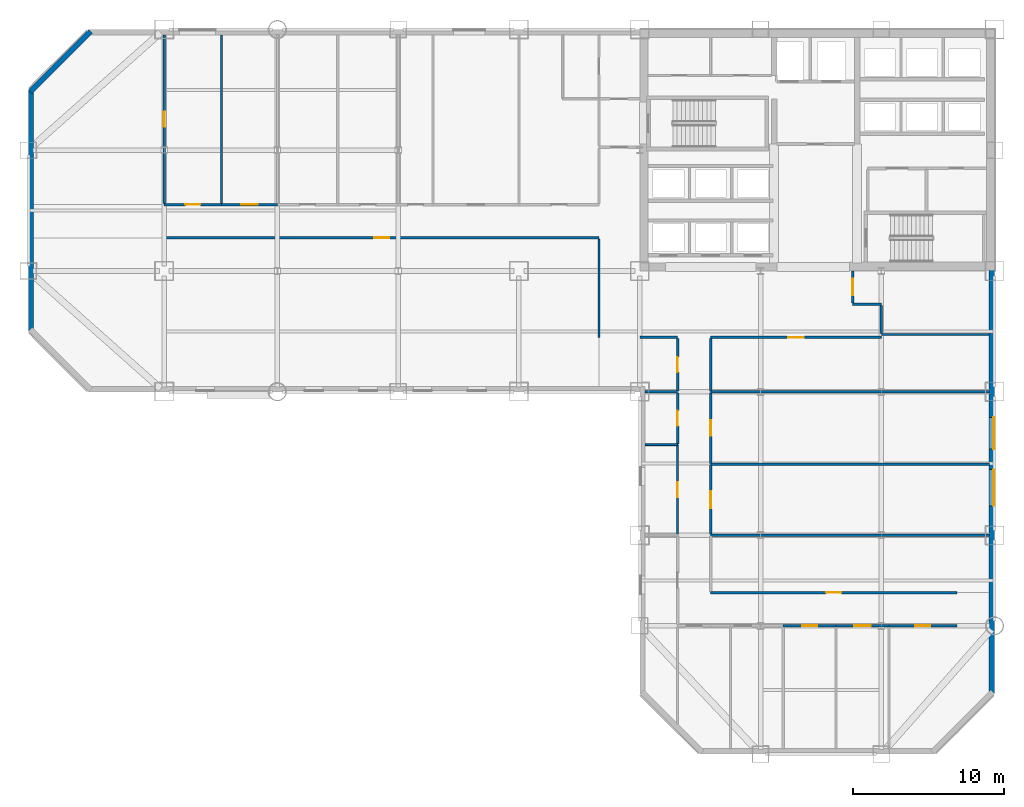
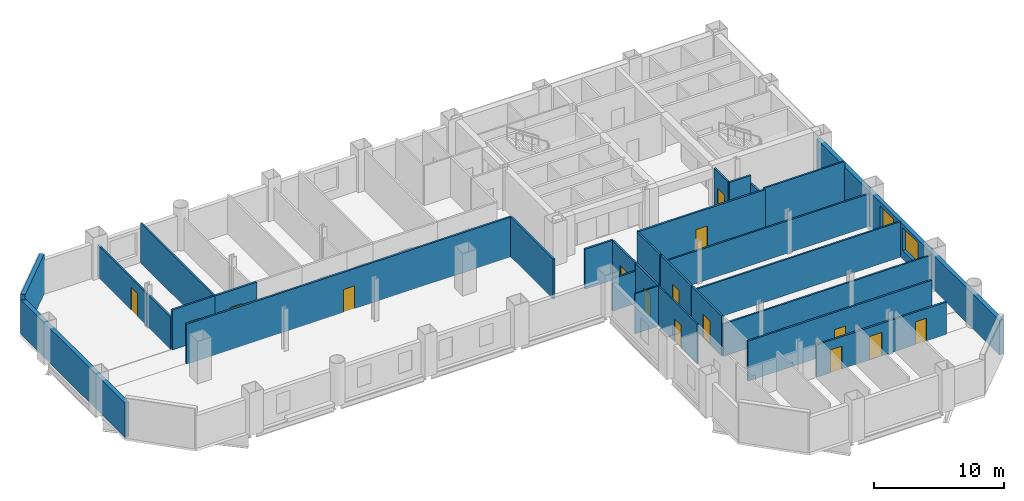
# One storey, part 5 of 9: 30 walls, 15 doors, 2 windows, 17 openings.
"""IFC4 building model written with IfcOpenShell, lengths in metres."""

from ifc_helpers import new_model, si_unit, direction, frame, frame_2d, origin, place, context, subcontext, project, spatial, rectangle, extrude, material, layer, layer_set, type_object, element, fill, save


model = new_model("IFC4")

# Units and contexts
model_context = context("Model", 3, precision=1e-05, world=origin(), true_north=direction((0.0, 1.0)))
body_context = subcontext(model_context, "Body", "Model", "MODEL_VIEW")
ifc_project = project(units=[si_unit("LENGTHUNIT", "METRE"), si_unit("AREAUNIT", "SQUARE_METRE"), si_unit("VOLUMEUNIT", "CUBIC_METRE"), si_unit("PLANEANGLEUNIT", "RADIAN"), si_unit("MASSUNIT", "GRAM", prefix="KILO")], contexts=[model_context])

# Site, building, storey
site_placement = place(None, origin())
site = spatial("IfcSite", under=ifc_project, at=site_placement, CompositionType="ELEMENT")
building_placement = place(site_placement, origin())
building = spatial("IfcBuilding", under=site, at=building_placement, Name="Qianrong Seaharbour Tower", CompositionType="ELEMENT")
storey_placement = place(building_placement, frame((0.0, 0.0, 36.199951171875)))
storey = spatial("IfcBuildingStorey", under=building, at=storey_placement, Name="L08", CompositionType="ELEMENT", Elevation=36.199951171875)

# Wall, opening, door
ifc_material_1 = material(Name="Fire-rated acoustic gypsum board partition")
ifc_layer_1 = layer(ifc_material_1, 0.1650390625)
ifc_layer_set_1 = layer_set([ifc_layer_1], Name="Fire-rated acoustic gypsum board partition")
wall_type_1 = type_object("IfcWallType", Name="WALL-CORR-PART-165", PredefinedType="PARTITIONING", material=ifc_layer_set_1)
wall_1_placement = place(storey_placement, frame((37.800048828125, 38.199951171875, 0.0), z_axis=(0.0, 0.0, 1.0), x_axis=(-1.0, 0.0, 0.0)))
wall_1 = element("IfcWall", 1, at=wall_1_placement, inside=storey, type_object=wall_type_1, Name="L08 Interior Partition Wall 015", PredefinedType="PARTITIONING", context=body_context, shape_type="SweptSolid", body=[
    extrude(rectangle(XDim=28.800048828125, YDim=0.1650390625, at=frame_2d((14.39990234375, 0.0))), origin(), (0.0, 0.0, 1.0), 3.75),
])
opening_1_placement = place(wall_1_placement, frame((13.89990234375, 0.0, 0.0)))
opening_1 = element("IfcOpeningElement", 2, at=opening_1_placement, cuts=wall_1, Name="Opening DO-01", PredefinedType="OPENING", context=body_context, shape_type="SweptSolid", body=[
    extrude(rectangle(XDim=1.0, YDim=2.14990234375, at=frame_2d((0.5, 1.074951171875))), frame((0.0, 0.092529296875, 0.0), z_axis=(0.0, -1.0, 0.0), x_axis=(1.0, 0.0, 0.0)), (0.0, 0.0, 1.0), 0.18505859375),
])
ifc_material_2 = material(Name="Acoustic timber and galvanized steel fire door assembly", Category="steel")
door_type_1 = type_object("IfcDoorType", Name="DOOR-OFFICE-1000x2150", OperationType="NOTDEFINED", PredefinedType="DOOR", material=ifc_material_2)
door_1_placement = place(opening_1_placement, origin())
door_1 = element("IfcDoor", 3, at=door_1_placement, inside=storey, type_object=door_type_1, Name="L08 Open-Plan Office Door", OperationType="SINGLE_SWING_RIGHT", OverallHeight=2.14990234375, OverallWidth=1.0, PredefinedType="DOOR", context=body_context, shape_type="SweptSolid", body=[
    extrude(rectangle(XDim=1.0, YDim=2.14990234375, at=frame_2d((0.5, 1.074951171875))), frame((0.0, 0.02490234375, 0.0), z_axis=(0.0, -1.0, 0.0), x_axis=(1.0, 0.0, 0.0)), (0.0, 0.0, 1.0), 0.050048828125),
])
fill(opening_1, door_1)

wall_2_placement = place(storey_placement, frame((9.0, 40.39990234375, 0.0), z_axis=(0.0, 0.0, 1.0), x_axis=(1.0, 0.0, 0.0)))
wall_2 = element("IfcWall", 4, at=wall_2_placement, inside=storey, type_object=wall_type_1, Name="L08 Interior Partition Wall 016", PredefinedType="PARTITIONING", context=body_context, shape_type="SweptSolid", body=[
    extrude(rectangle(XDim=3.800048828125, YDim=0.1650390625, at=frame_2d((1.89990234375, 0.0))), origin(), (0.0, 0.0, 1.0), 3.75),
])
opening_2_placement = place(wall_2_placement, frame((1.39990234375, 0.0, 0.0)))
opening_2 = element("IfcOpeningElement", 5, at=opening_2_placement, cuts=wall_2, Name="Opening DO-01", PredefinedType="OPENING", context=body_context, shape_type="SweptSolid", body=[
    extrude(rectangle(XDim=1.0, YDim=2.14990234375, at=frame_2d((0.5, 1.074951171875))), frame((0.0, 0.092529296875, 0.0), z_axis=(0.0, -1.0, 0.0), x_axis=(1.0, 0.0, 0.0)), (0.0, 0.0, 1.0), 0.18505859375),
])
door_2_placement = place(opening_2_placement, origin())
door_2 = element("IfcDoor", 6, at=door_2_placement, inside=storey, type_object=door_type_1, Name="L08 Focus Room 2 Door", OperationType="SINGLE_SWING_RIGHT", OverallHeight=2.14990234375, OverallWidth=1.0, PredefinedType="DOOR", context=body_context, shape_type="SweptSolid", body=[
    extrude(rectangle(XDim=1.0, YDim=2.14990234375, at=frame_2d((0.5, 1.074951171875))), frame((0.0, 0.02490234375, 0.0), z_axis=(0.0, -1.0, 0.0), x_axis=(1.0, 0.0, 0.0)), (0.0, 0.0, 1.0), 0.050048828125),
])
fill(opening_2, door_2)

wall_3_placement = place(storey_placement, frame((12.800048828125, 40.39990234375, 0.0), z_axis=(0.0, 0.0, 1.0), x_axis=(1.0, 0.0, 0.0)))
wall_3 = element("IfcWall", 7, at=wall_3_placement, inside=storey, type_object=wall_type_1, Name="L08 Interior Partition Wall 017", PredefinedType="PARTITIONING", context=body_context, shape_type="SweptSolid", body=[
    extrude(rectangle(XDim=3.699951171875, YDim=0.1650390625, at=frame_2d((1.85009765625, 0.0))), origin(), (0.0, 0.0, 1.0), 3.75),
])
opening_3_placement = place(wall_3_placement, frame((1.300048828125, 0.0, 0.0)))
opening_3 = element("IfcOpeningElement", 8, at=opening_3_placement, cuts=wall_3, Name="Opening DM-01", PredefinedType="OPENING", context=body_context, shape_type="SweptSolid", body=[
    extrude(rectangle(XDim=1.10009765625, YDim=2.199951171875, at=frame_2d((0.550048828125, 1.10009765625))), frame((0.0, 0.092529296875, 0.0), z_axis=(0.0, -1.0, 0.0), x_axis=(1.0, 0.0, 0.0)), (0.0, 0.0, 1.0), 0.18505859375),
])
door_type_2 = type_object("IfcDoorType", Name="DOOR-MEET-1100x2200", OperationType="NOTDEFINED", PredefinedType="DOOR", material=ifc_material_2)
door_3_placement = place(opening_3_placement, origin())
door_3 = element("IfcDoor", 9, at=door_3_placement, inside=storey, type_object=door_type_2, Name="L08 Meeting Room 3 Door", OperationType="SINGLE_SWING_LEFT", OverallHeight=2.199951171875, OverallWidth=1.10009765625, PredefinedType="DOOR", context=body_context, shape_type="SweptSolid", body=[
    extrude(rectangle(XDim=1.10009765625, YDim=2.199951171875, at=frame_2d((0.550048828125, 1.10009765625))), frame((0.0, 0.02490234375, 0.0), z_axis=(0.0, -1.0, 0.0), x_axis=(1.0, 0.0, 0.0)), (0.0, 0.0, 1.0), 0.050048828125),
])
fill(opening_3, door_3)

# Wall
wall_4_placement = place(storey_placement, frame((37.800048828125, 31.60009765625, 0.0), z_axis=(0.0, 0.0, 1.0), x_axis=(0.0, 1.0, 0.0)))
element("IfcWall", 10, at=wall_4_placement, inside=storey, type_object=wall_type_1, Name="L08 Interior Partition Wall 023", PredefinedType="PARTITIONING", context=body_context, shape_type="SweptSolid", body=[
    extrude(rectangle(XDim=6.525390625, YDim=0.1650390625, at=frame_2d((3.2626953125, 0.0))), origin(), (0.0, 0.0, 1.0), 3.75),
])

# Wall, opening, door
wall_5_placement = place(storey_placement, frame((56.5, 31.60009765625, 0.0), z_axis=(0.0, 0.0, 1.0), x_axis=(-1.0, 0.0, 0.0)))
wall_5 = element("IfcWall", 11, at=wall_5_placement, inside=storey, type_object=wall_type_1, Name="L08 Interior Partition Wall 025", PredefinedType="PARTITIONING", context=body_context, shape_type="SweptSolid", body=[
    extrude(rectangle(XDim=11.300048828125, YDim=0.1650390625, at=frame_2d((5.64990234375, 0.0))), origin(), (0.0, 0.0, 1.0), 3.75),
])
opening_4_placement = place(wall_5_placement, frame((5.14990234375, 0.0, 0.0)))
opening_4 = element("IfcOpeningElement", 12, at=opening_4_placement, cuts=wall_5, Name="Opening DO-01", PredefinedType="OPENING", context=body_context, shape_type="SweptSolid", body=[
    extrude(rectangle(XDim=1.0, YDim=2.14990234375, at=frame_2d((0.5, 1.074951171875))), frame((0.0, 0.092529296875, 0.0), z_axis=(0.0, -1.0, 0.0), x_axis=(1.0, 0.0, 0.0)), (0.0, 0.0, 1.0), 0.18505859375),
])
door_4_placement = place(opening_4_placement, origin())
door_4 = element("IfcDoor", 13, at=door_4_placement, inside=storey, type_object=door_type_1, Name="L08 Executive Office 4 Door", OperationType="SINGLE_SWING_RIGHT", OverallHeight=2.14990234375, OverallWidth=1.0, PredefinedType="DOOR", context=body_context, shape_type="SweptSolid", body=[
    extrude(rectangle(XDim=1.0, YDim=2.14990234375, at=frame_2d((0.5, 1.074951171875))), frame((0.0, 0.02490234375, 0.0), z_axis=(0.0, -1.0, 0.0), x_axis=(1.0, 0.0, 0.0)), (0.0, 0.0, 1.0), 0.050048828125),
])
fill(opening_4, door_4)

wall_6_placement = place(storey_placement, frame((54.60009765625, 36.0, 0.0), z_axis=(0.0, 0.0, 1.0), x_axis=(0.0, -1.0, 0.0)))
wall_6 = element("IfcWall", 14, at=wall_6_placement, inside=storey, type_object=wall_type_1, Name="L08 Interior Partition Wall 026", PredefinedType="PARTITIONING", context=body_context, shape_type="SweptSolid", body=[
    extrude(rectangle(XDim=2.12548828125, YDim=0.1650390625, at=frame_2d((1.062744140625, 0.0))), origin(), (0.0, 0.0, 1.0), 3.75),
])
opening_5_placement = place(wall_6_placement, frame((0.5126953125, 0.0, 0.0)))
opening_5 = element("IfcOpeningElement", 15, at=opening_5_placement, cuts=wall_6, Name="Opening DM-01", PredefinedType="OPENING", context=body_context, shape_type="SweptSolid", body=[
    extrude(rectangle(XDim=1.10009765625, YDim=2.199951171875, at=frame_2d((0.550048828125, 1.10009765625))), frame((0.0, 0.092529296875, 0.0), z_axis=(0.0, -1.0, 0.0), x_axis=(1.0, 0.0, 0.0)), (0.0, 0.0, 1.0), 0.18505859375),
])
door_5_placement = place(opening_5_placement, origin())
door_5 = element("IfcDoor", 16, at=door_5_placement, inside=storey, type_object=door_type_2, Name="L08 Boardroom 5 Door", OperationType="SINGLE_SWING_LEFT", OverallHeight=2.199951171875, OverallWidth=1.10009765625, PredefinedType="DOOR", context=body_context, shape_type="SweptSolid", body=[
    extrude(rectangle(XDim=1.10009765625, YDim=2.199951171875, at=frame_2d((0.550048828125, 1.10009765625))), frame((0.0, 0.02490234375, 0.0), z_axis=(0.0, -1.0, 0.0), x_axis=(1.0, 0.0, 0.0)), (0.0, 0.0, 1.0), 0.050048828125),
])
fill(opening_5, door_5)

# Walls
wall_7_placement = place(storey_placement, frame((54.60009765625, 33.800048828125, 0.0), z_axis=(0.0, 0.0, 1.0), x_axis=(1.0, 0.0, 0.0)))
element("IfcWall", 17, at=wall_7_placement, inside=storey, type_object=wall_type_1, Name="L08 Interior Partition Wall 027", PredefinedType="PARTITIONING", context=body_context, shape_type="SweptSolid", body=[
    extrude(rectangle(XDim=1.89990234375, YDim=0.1650390625, at=frame_2d((0.949951171875, 0.0))), origin(), (0.0, 0.0, 1.0), 3.75),
])
wall_8_placement = place(storey_placement, frame((56.5, 33.7255859375, 0.0), z_axis=(0.0, 0.0, 1.0), x_axis=(0.0, -1.0, 0.0)))
element("IfcWall", 18, at=wall_8_placement, inside=storey, type_object=wall_type_1, Name="L08 Interior Partition Wall 028", PredefinedType="PARTITIONING", context=body_context, shape_type="SweptSolid", body=[
    extrude(rectangle(XDim=1.861083984375, YDim=0.1650390625, at=frame_2d((0.9306640625, 0.0))), origin(), (0.0, 0.0, 1.0), 3.0419921875),
])
wall_9_placement = place(storey_placement, frame((43.0, 31.60009765625, 0.0), z_axis=(0.0, 0.0, 1.0), x_axis=(-1.0, 0.0, 0.0)))
element("IfcWall", 19, at=wall_9_placement, inside=storey, type_object=wall_type_1, Name="L08 Interior Partition Wall 029", PredefinedType="PARTITIONING", context=body_context, shape_type="SweptSolid", body=[
    extrude(rectangle(XDim=2.5, YDim=0.1650390625, at=frame_2d((1.25, 0.0))), origin(), (0.0, 0.0, 1.0), 3.75),
])

# Wall, opening, door
wall_10_placement = place(storey_placement, frame((45.199951171875, 23.135498046875, 0.0), z_axis=(0.0, 0.0, 1.0), x_axis=(0.0, -1.0, 0.0)))
wall_10 = element("IfcWall", 20, at=wall_10_placement, inside=storey, type_object=wall_type_1, Name="L08 Interior Partition Wall 031", PredefinedType="PARTITIONING", context=body_context, shape_type="SweptSolid", body=[
    extrude(rectangle(XDim=4.571044921875, YDim=0.1650390625, at=frame_2d((2.28564453125, 0.0))), origin(), (0.0, 0.0, 1.0), 3.75),
])
opening_6_placement = place(wall_10_placement, frame((1.735595703125, 0.0, 0.0)))
opening_6 = element("IfcOpeningElement", 21, at=opening_6_placement, cuts=wall_10, Name="Opening DM-01", PredefinedType="OPENING", context=body_context, shape_type="SweptSolid", body=[
    extrude(rectangle(XDim=1.10009765625, YDim=2.199951171875, at=frame_2d((0.550048828125, 1.10009765625))), frame((0.0, 0.092529296875, 0.0), z_axis=(0.0, -1.0, 0.0), x_axis=(1.0, 0.0, 0.0)), (0.0, 0.0, 1.0), 0.18505859375),
])
door_6_placement = place(opening_6_placement, origin())
door_6 = element("IfcDoor", 22, at=door_6_placement, inside=storey, type_object=door_type_2, Name="L08 Boardroom 2 Door", OperationType="SINGLE_SWING_RIGHT", OverallHeight=2.199951171875, OverallWidth=1.10009765625, PredefinedType="DOOR", context=body_context, shape_type="SweptSolid", body=[
    extrude(rectangle(XDim=1.10009765625, YDim=2.199951171875, at=frame_2d((0.550048828125, 1.10009765625))), frame((0.0, 0.02490234375, 0.0), z_axis=(0.0, -1.0, 0.0), x_axis=(1.0, 0.0, 0.0)), (0.0, 0.0, 1.0), 0.050048828125),
])
fill(opening_6, door_6)

wall_11_placement = place(storey_placement, frame((45.199951171875, 27.935546875, 0.0), z_axis=(0.0, 0.0, 1.0), x_axis=(0.0, -1.0, 0.0)))
wall_11 = element("IfcWall", 23, at=wall_11_placement, inside=storey, type_object=wall_type_1, Name="L08 Interior Partition Wall 032", PredefinedType="PARTITIONING", context=body_context, shape_type="SweptSolid", body=[
    extrude(rectangle(XDim=4.671142578125, YDim=0.1650390625, at=frame_2d((2.33544921875, 0.0))), origin(), (0.0, 0.0, 1.0), 3.75),
])
opening_7_placement = place(wall_11_placement, frame((1.83544921875, 0.0, 0.0)))
opening_7 = element("IfcOpeningElement", 24, at=opening_7_placement, cuts=wall_11, Name="Opening DO-01", PredefinedType="OPENING", context=body_context, shape_type="SweptSolid", body=[
    extrude(rectangle(XDim=1.0, YDim=2.14990234375, at=frame_2d((0.5, 1.074951171875))), frame((0.0, 0.092529296875, 0.0), z_axis=(0.0, -1.0, 0.0), x_axis=(1.0, 0.0, 0.0)), (0.0, 0.0, 1.0), 0.18505859375),
])
door_7_placement = place(opening_7_placement, origin())
door_7 = element("IfcDoor", 25, at=door_7_placement, inside=storey, type_object=door_type_1, Name="L08 Focus Room 3 Door", OperationType="SINGLE_SWING_LEFT", OverallHeight=2.14990234375, OverallWidth=1.0, PredefinedType="DOOR", context=body_context, shape_type="SweptSolid", body=[
    extrude(rectangle(XDim=1.0, YDim=2.14990234375, at=frame_2d((0.5, 1.074951171875))), frame((0.0, 0.02490234375, 0.0), z_axis=(0.0, -1.0, 0.0), x_axis=(1.0, 0.0, 0.0)), (0.0, 0.0, 1.0), 0.050048828125),
])
fill(opening_7, door_7)

# Wall
wall_12_placement = place(storey_placement, frame((45.199951171875, 31.525390625, 0.0), z_axis=(0.0, 0.0, 1.0), x_axis=(0.0, -1.0, 0.0)))
element("IfcWall", 26, at=wall_12_placement, inside=storey, type_object=wall_type_1, Name="L08 Interior Partition Wall 033", PredefinedType="PARTITIONING", context=body_context, shape_type="SweptSolid", body=[
    extrude(rectangle(XDim=3.4609375, YDim=0.1650390625, at=frame_2d((1.73046875, 0.0))), origin(), (0.0, 0.0, 1.0), 3.75),
])

# Wall, opening, door
wall_13_placement = place(storey_placement, frame((43.0, 24.556884765625, 0.0), z_axis=(0.0, 0.0, 1.0), x_axis=(0.0, 1.0, 0.0)))
wall_13 = element("IfcWall", 27, at=wall_13_placement, inside=storey, type_object=wall_type_1, Name="L08 Interior Partition Wall 036", PredefinedType="PARTITIONING", context=body_context, shape_type="SweptSolid", body=[
    extrude(rectangle(XDim=3.378662109375, YDim=0.1650390625, at=frame_2d((1.689453125, 0.0))), origin(), (0.0, 0.0, 1.0), 3.75),
])
opening_8_placement = place(wall_13_placement, frame((1.189208984375, 0.0, 0.0)))
opening_8 = element("IfcOpeningElement", 28, at=opening_8_placement, cuts=wall_13, Name="Opening DO-01", PredefinedType="OPENING", context=body_context, shape_type="SweptSolid", body=[
    extrude(rectangle(XDim=1.0, YDim=2.14990234375, at=frame_2d((0.5, 1.074951171875))), frame((0.0, 0.092529296875, 0.0), z_axis=(0.0, -1.0, 0.0), x_axis=(1.0, 0.0, 0.0)), (0.0, 0.0, 1.0), 0.18505859375),
])
door_8_placement = place(opening_8_placement, origin())
door_8 = element("IfcDoor", 29, at=door_8_placement, inside=storey, type_object=door_type_1, Name="L08 Focus Room 3 Door", OperationType="SINGLE_SWING_RIGHT", OverallHeight=2.14990234375, OverallWidth=1.0, PredefinedType="DOOR", context=body_context, shape_type="SweptSolid", body=[
    extrude(rectangle(XDim=1.0, YDim=2.14990234375, at=frame_2d((0.5, 1.074951171875))), frame((0.0, 0.02490234375, 0.0), z_axis=(0.0, -1.0, 0.0), x_axis=(1.0, 0.0, 0.0)), (0.0, 0.0, 1.0), 0.050048828125),
])
fill(opening_8, door_8)

wall_14_placement = place(storey_placement, frame((43.0, 28.064453125, 0.0), z_axis=(0.0, 0.0, 1.0), x_axis=(0.0, 1.0, 0.0)))
wall_14 = element("IfcWall", 30, at=wall_14_placement, inside=storey, type_object=wall_type_1, Name="L08 Interior Partition Wall 037", PredefinedType="PARTITIONING", context=body_context, shape_type="SweptSolid", body=[
    extrude(rectangle(XDim=3.4609375, YDim=0.1650390625, at=frame_2d((1.73046875, 0.0))), origin(), (0.0, 0.0, 1.0), 3.75),
])
opening_9_placement = place(wall_14_placement, frame((1.23046875, 0.0, 0.0)))
opening_9 = element("IfcOpeningElement", 31, at=opening_9_placement, cuts=wall_14, Name="Opening DO-01", PredefinedType="OPENING", context=body_context, shape_type="SweptSolid", body=[
    extrude(rectangle(XDim=1.0, YDim=2.14990234375, at=frame_2d((0.5, 1.074951171875))), frame((0.0, 0.092529296875, 0.0), z_axis=(0.0, -1.0, 0.0), x_axis=(1.0, 0.0, 0.0)), (0.0, 0.0, 1.0), 0.18505859375),
])
door_9_placement = place(opening_9_placement, origin())
door_9 = element("IfcDoor", 32, at=door_9_placement, inside=storey, type_object=door_type_1, Name="L08 Executive Office 4 Door", OperationType="SINGLE_SWING_LEFT", OverallHeight=2.14990234375, OverallWidth=1.0, PredefinedType="DOOR", context=body_context, shape_type="SweptSolid", body=[
    extrude(rectangle(XDim=1.0, YDim=2.14990234375, at=frame_2d((0.5, 1.074951171875))), frame((0.0, 0.02490234375, 0.0), z_axis=(0.0, -1.0, 0.0), x_axis=(1.0, 0.0, 0.0)), (0.0, 0.0, 1.0), 0.050048828125),
])
fill(opening_9, door_9)

wall_15_placement = place(storey_placement, frame((45.199951171875, 14.699951171875, 0.0), z_axis=(0.0, 0.0, 1.0), x_axis=(1.0, 0.0, 0.0)))
wall_15 = element("IfcWall", 33, at=wall_15_placement, inside=storey, type_object=wall_type_1, Name="L08 Interior Partition Wall 039", PredefinedType="PARTITIONING", context=body_context, shape_type="SweptSolid", body=[
    extrude(rectangle(XDim=16.300048828125, YDim=0.1650390625, at=frame_2d((8.14990234375, 0.0))), origin(), (0.0, 0.0, 1.0), 3.75),
])
opening_10_placement = place(wall_15_placement, frame((7.64990234375, 0.0, 0.0)))
opening_10 = element("IfcOpeningElement", 34, at=opening_10_placement, cuts=wall_15, Name="Opening DO-01", PredefinedType="OPENING", context=body_context, shape_type="SweptSolid", body=[
    extrude(rectangle(XDim=1.0, YDim=2.14990234375, at=frame_2d((0.5, 1.074951171875))), frame((0.0, 0.092529296875, 0.0), z_axis=(0.0, -1.0, 0.0), x_axis=(1.0, 0.0, 0.0)), (0.0, 0.0, 1.0), 0.18505859375),
])
door_10_placement = place(opening_10_placement, origin())
door_10 = element("IfcDoor", 35, at=door_10_placement, inside=storey, type_object=door_type_1, Name="L08 Executive Office 1 Door", OperationType="SINGLE_SWING_LEFT", OverallHeight=2.14990234375, OverallWidth=1.0, PredefinedType="DOOR", context=body_context, shape_type="SweptSolid", body=[
    extrude(rectangle(XDim=1.0, YDim=2.14990234375, at=frame_2d((0.5, 1.074951171875))), frame((0.0, 0.02490234375, 0.0), z_axis=(0.0, -1.0, 0.0), x_axis=(1.0, 0.0, 0.0)), (0.0, 0.0, 1.0), 0.050048828125),
])
fill(opening_10, door_10)

wall_16_placement = place(storey_placement, frame((53.5, 12.5, 0.0), z_axis=(0.0, 0.0, 1.0), x_axis=(-1.0, 0.0, 0.0)))
wall_16 = element("IfcWall", 36, at=wall_16_placement, inside=storey, type_object=wall_type_1, Name="L08 Interior Partition Wall 042", PredefinedType="PARTITIONING", context=body_context, shape_type="SweptSolid", body=[
    extrude(rectangle(XDim=3.5, YDim=0.1650390625, at=frame_2d((1.75, 0.0))), origin(), (0.0, 0.0, 1.0), 3.0419921875),
])
opening_11_placement = place(wall_16_placement, frame((1.25, 0.0, 0.0)))
opening_11 = element("IfcOpeningElement", 37, at=opening_11_placement, cuts=wall_16, Name="Opening DO-01", PredefinedType="OPENING", context=body_context, shape_type="SweptSolid", body=[
    extrude(rectangle(XDim=1.0, YDim=2.14990234375, at=frame_2d((0.5, 1.074951171875))), frame((0.0, 0.092529296875, 0.0), z_axis=(0.0, -1.0, 0.0), x_axis=(1.0, 0.0, 0.0)), (0.0, 0.0, 1.0), 0.18505859375),
])
door_11_placement = place(opening_11_placement, origin())
door_11 = element("IfcDoor", 38, at=door_11_placement, inside=storey, type_object=door_type_1, Name="L08 Executive Office 3 Door", OperationType="SINGLE_SWING_RIGHT", OverallHeight=2.14990234375, OverallWidth=1.0, PredefinedType="DOOR", context=body_context, shape_type="SweptSolid", body=[
    extrude(rectangle(XDim=1.0, YDim=2.14990234375, at=frame_2d((0.5, 1.074951171875))), frame((0.0, 0.02490234375, 0.0), z_axis=(0.0, -1.0, 0.0), x_axis=(1.0, 0.0, 0.0)), (0.0, 0.0, 1.0), 0.050048828125),
])
fill(opening_11, door_11)

wall_17_placement = place(storey_placement, frame((57.0, 12.5, 0.0), z_axis=(0.0, 0.0, 1.0), x_axis=(-1.0, 0.0, 0.0)))
wall_17 = element("IfcWall", 39, at=wall_17_placement, inside=storey, type_object=wall_type_1, Name="L08 Interior Partition Wall 043", PredefinedType="PARTITIONING", context=body_context, shape_type="SweptSolid", body=[
    extrude(rectangle(XDim=3.5, YDim=0.1650390625, at=frame_2d((1.75, 0.0))), origin(), (0.0, 0.0, 1.0), 3.0419921875),
])
opening_12_placement = place(wall_17_placement, frame((1.199951171875, 0.0, 0.0)))
opening_12 = element("IfcOpeningElement", 40, at=opening_12_placement, cuts=wall_17, Name="Opening DM-01", PredefinedType="OPENING", context=body_context, shape_type="SweptSolid", body=[
    extrude(rectangle(XDim=1.10009765625, YDim=2.199951171875, at=frame_2d((0.550048828125, 1.10009765625))), frame((0.0, 0.092529296875, 0.0), z_axis=(0.0, -1.0, 0.0), x_axis=(1.0, 0.0, 0.0)), (0.0, 0.0, 1.0), 0.18505859375),
])
door_12_placement = place(opening_12_placement, origin())
door_12 = element("IfcDoor", 41, at=door_12_placement, inside=storey, type_object=door_type_2, Name="L08 Meeting Room 4 Door", OperationType="SINGLE_SWING_LEFT", OverallHeight=2.199951171875, OverallWidth=1.10009765625, PredefinedType="DOOR", context=body_context, shape_type="SweptSolid", body=[
    extrude(rectangle(XDim=1.10009765625, YDim=2.199951171875, at=frame_2d((0.550048828125, 1.10009765625))), frame((0.0, 0.02490234375, 0.0), z_axis=(0.0, -1.0, 0.0), x_axis=(1.0, 0.0, 0.0)), (0.0, 0.0, 1.0), 0.050048828125),
])
fill(opening_12, door_12)

wall_18_placement = place(storey_placement, frame((61.5, 12.5, 0.0), z_axis=(0.0, 0.0, 1.0), x_axis=(-1.0, 0.0, 0.0)))
wall_18 = element("IfcWall", 42, at=wall_18_placement, inside=storey, type_object=wall_type_1, Name="L08 Interior Partition Wall 044", PredefinedType="PARTITIONING", context=body_context, shape_type="SweptSolid", body=[
    extrude(rectangle(XDim=4.5, YDim=0.1650390625, at=frame_2d((2.25, 0.0))), origin(), (0.0, 0.0, 1.0), 3.0419921875),
])
opening_13_placement = place(wall_18_placement, frame((1.75, 0.0, 0.0)))
opening_13 = element("IfcOpeningElement", 43, at=opening_13_placement, cuts=wall_18, Name="Opening DO-01", PredefinedType="OPENING", context=body_context, shape_type="SweptSolid", body=[
    extrude(rectangle(XDim=1.0, YDim=2.14990234375, at=frame_2d((0.5, 1.074951171875))), frame((0.0, 0.092529296875, 0.0), z_axis=(0.0, -1.0, 0.0), x_axis=(1.0, 0.0, 0.0)), (0.0, 0.0, 1.0), 0.18505859375),
])
door_13_placement = place(opening_13_placement, origin())
door_13 = element("IfcDoor", 44, at=door_13_placement, inside=storey, type_object=door_type_1, Name="L08 Executive Office 5 Door", OperationType="SINGLE_SWING_RIGHT", OverallHeight=2.14990234375, OverallWidth=1.0, PredefinedType="DOOR", context=body_context, shape_type="SweptSolid", body=[
    extrude(rectangle(XDim=1.0, YDim=2.14990234375, at=frame_2d((0.5, 1.074951171875))), frame((0.0, 0.02490234375, 0.0), z_axis=(0.0, -1.0, 0.0), x_axis=(1.0, 0.0, 0.0)), (0.0, 0.0, 1.0), 0.050048828125),
])
fill(opening_13, door_13)

# Walls
ifc_material_3 = material(Name="Unitised red brick on Precast concrete C45/55", Category="masonry")
ifc_layer_2 = layer(ifc_material_3, 0.360107421875)
ifc_layer_set_2 = layer_set([ifc_layer_2], Name="Unitised red brick on Precast concrete C45/55")
wall_type_2 = type_object("IfcWallType", Name="WALL-EXT-BRICK-RED-360", PredefinedType="SOLIDWALL", material=ifc_layer_set_2)
wall_19_placement = place(storey_placement, frame((0.179931640625, 32.0, 0.0), z_axis=(0.0, 0.0, 1.0), x_axis=(0.0, 1.0, 0.0)))
element("IfcWall", 45, at=wall_19_placement, inside=storey, type_object=wall_type_2, Name="L08 Exterior Masonry Facade Wall WEST_TIP", PredefinedType="SOLIDWALL", context=body_context, shape_type="SweptSolid", body=[
    extrude(rectangle(XDim=16.0, YDim=0.360107421875, at=frame_2d((8.0, 0.0))), origin(), (0.0, 0.0, 1.0), 3.25),
])
wall_20_placement = place(storey_placement, frame((0.127197265625, 47.872802734375, 0.0), z_axis=(0.0, 0.0, 1.0), x_axis=(0.707106781187, 0.707106781187, 0.0)))
element("IfcWall", 46, at=wall_20_placement, inside=storey, type_object=wall_type_2, Name="L08 Exterior Masonry Facade Wall E04", PredefinedType="SOLIDWALL", context=body_context, shape_type="SweptSolid", body=[
    extrude(rectangle(XDim=5.65673828125, YDim=0.360107421875, at=frame_2d((2.828369140625, 0.0))), origin(), (0.0, 0.0, 1.0), 3.75),
])

# Wall, openings, windows
wall_21_placement = place(storey_placement, frame((63.820068359375, 36.050048828125, 0.0), z_axis=(0.0, 0.0, 1.0), x_axis=(0.0, -1.0, 0.0)))
wall_21 = element("IfcWall", 47, at=wall_21_placement, inside=storey, type_object=wall_type_2, Name="L08 Exterior Masonry Facade Wall EAST_WING", PredefinedType="SOLIDWALL", context=body_context, shape_type="SweptSolid", body=[
    extrude(rectangle(XDim=28.050048828125, YDim=0.360107421875, at=frame_2d((14.02490234375, 0.0))), origin(), (0.0, 0.0, 1.0), 3.25),
])
opening_14_placement = place(wall_21_placement, frame((9.75, 0.0, 0.85009765625)))
opening_14 = element("IfcOpeningElement", 48, at=opening_14_placement, cuts=wall_21, Name="Opening WN-06", PredefinedType="OPENING", context=body_context, shape_type="SweptSolid", body=[
    extrude(rectangle(XDim=2.10009765625, YDim=2.050048828125, at=frame_2d((1.050048828125, 1.02490234375))), frame((0.0, 0.18994140625, 0.0), z_axis=(0.0, -1.0, 0.0), x_axis=(1.0, 0.0, 0.0)), (0.0, 0.0, 1.0), 0.380126953125),
])
opening_15_placement = place(wall_21_placement, frame((13.199951171875, 0.0, 0.800048828125)))
opening_15 = element("IfcOpeningElement", 49, at=opening_15_placement, cuts=wall_21, Name="Opening WN-07", PredefinedType="OPENING", context=body_context, shape_type="SweptSolid", body=[
    extrude(rectangle(XDim=2.39990234375, YDim=2.14990234375, at=frame_2d((1.199951171875, 1.074951171875))), frame((0.0, 0.18994140625, 0.0), z_axis=(0.0, -1.0, 0.0), x_axis=(1.0, 0.0, 0.0)), (0.0, 0.0, 1.0), 0.380126953125),
])
ifc_material_4 = material(Name="Insulated low-e double glazing in thermally broken aluminium 6063-T6 frame", Category="aluminium")
window_type_1 = type_object("IfcWindowType", Name="WIN-PUNCH-2100x2050", PartitioningType="TRIPLE_PANEL_VERTICAL", PredefinedType="WINDOW", material=ifc_material_4)
window_1_placement = place(opening_14_placement, origin())
window_1 = element("IfcWindow", 50, at=window_1_placement, inside=storey, type_object=window_type_1, Name="L08 Deep-Set Punched Window 06.03", OverallHeight=2.050048828125, OverallWidth=2.10009765625, PartitioningType="TRIPLE_PANEL_VERTICAL", PredefinedType="WINDOW", context=body_context, shape_type="SweptSolid", body=[
    extrude(rectangle(XDim=2.10009765625, YDim=2.050048828125, at=frame_2d((1.050048828125, 1.02490234375))), frame((0.0, 0.150146484375, 0.0), z_axis=(0.0, -1.0, 0.0), x_axis=(1.0, 0.0, 0.0)), (0.0, 0.0, 1.0), 0.06005859375),
])
fill(opening_14, window_1)
window_type_2 = type_object("IfcWindowType", Name="WIN-PUNCH-2400x2150", PartitioningType="TRIPLE_PANEL_VERTICAL", PredefinedType="WINDOW", material=ifc_material_4)
window_2_placement = place(opening_15_placement, origin())
window_2 = element("IfcWindow", 51, at=window_2_placement, inside=storey, type_object=window_type_2, Name="L08 Deep-Set Punched Window 06.04", OverallHeight=2.14990234375, OverallWidth=2.39990234375, PartitioningType="TRIPLE_PANEL_VERTICAL", PredefinedType="WINDOW", context=body_context, shape_type="SweptSolid", body=[
    extrude(rectangle(XDim=2.39990234375, YDim=2.14990234375, at=frame_2d((1.199951171875, 1.074951171875))), frame((0.0, 0.150146484375, 0.0), z_axis=(0.0, -1.0, 0.0), x_axis=(1.0, 0.0, 0.0)), (0.0, 0.0, 1.0), 0.06005859375),
])
fill(opening_15, window_2)

# Wall, opening, door
ifc_material_5 = material(Name="Acoustic gypsum board stud partition")
ifc_layer_3 = layer(ifc_material_5, 0.14501953125)
ifc_layer_set_3 = layer_set([ifc_layer_3], Name="Acoustic gypsum board stud partition")
wall_type_3 = type_object("IfcWallType", Name="WALL-OFFICE-PART-145", PredefinedType="PARTITIONING", material=ifc_layer_set_3)
wall_22_placement = place(storey_placement, frame((9.0, 51.64794921875, 0.0), z_axis=(0.0, 0.0, 1.0), x_axis=(0.0, -1.0, 0.0)))
wall_22 = element("IfcWall", 52, at=wall_22_placement, inside=storey, type_object=wall_type_3, Name="L08 Interior Partition Wall 045", PredefinedType="PARTITIONING", context=body_context, shape_type="SweptSolid", body=[
    extrude(rectangle(XDim=11.17333984375, YDim=0.14501953125, at=frame_2d((5.586669921875, 0.0))), origin(), (0.0, 0.0, 1.0), 3.0419921875),
])
opening_16_placement = place(wall_22_placement, frame((5.0869140625, 0.0, 0.0)))
opening_16 = element("IfcOpeningElement", 53, at=opening_16_placement, cuts=wall_22, Name="Opening DO-01", PredefinedType="OPENING", context=body_context, shape_type="SweptSolid", body=[
    extrude(rectangle(XDim=1.0, YDim=2.14990234375, at=frame_2d((0.5, 1.074951171875))), frame((0.0, 0.08251953125, 0.0), z_axis=(0.0, -1.0, 0.0), x_axis=(1.0, 0.0, 0.0)), (0.0, 0.0, 1.0), 0.1650390625),
])
door_14_placement = place(opening_16_placement, origin())
door_14 = element("IfcDoor", 54, at=door_14_placement, inside=storey, type_object=door_type_1, Name="L08 Executive Office 1 Door", OperationType="SINGLE_SWING_LEFT", OverallHeight=2.14990234375, OverallWidth=1.0, PredefinedType="DOOR", context=body_context, shape_type="SweptSolid", body=[
    extrude(rectangle(XDim=1.0, YDim=2.14990234375, at=frame_2d((0.5, 1.074951171875))), frame((0.0, 0.02490234375, 0.0), z_axis=(0.0, -1.0, 0.0), x_axis=(1.0, 0.0, 0.0)), (0.0, 0.0, 1.0), 0.050048828125),
])
fill(opening_16, door_14)

# Walls
wall_23_placement = place(storey_placement, frame((12.800048828125, 51.64794921875, 0.0), z_axis=(0.0, 0.0, 1.0), x_axis=(0.0, -1.0, 0.0)))
element("IfcWall", 55, at=wall_23_placement, inside=storey, type_object=wall_type_3, Name="L08 Interior Partition Wall 046", PredefinedType="PARTITIONING", context=body_context, shape_type="SweptSolid", body=[
    extrude(rectangle(XDim=11.17333984375, YDim=0.14501953125, at=frame_2d((5.586669921875, 0.0))), origin(), (0.0, 0.0, 1.0), 3.75),
])
wall_24_placement = place(storey_placement, frame((45.199951171875, 18.5, 0.0), z_axis=(0.0, 0.0, 1.0), x_axis=(1.0, 0.0, 0.0)))
element("IfcWall", 56, at=wall_24_placement, inside=storey, type_object=wall_type_3, Name="L08 Interior Partition Wall 052", PredefinedType="PARTITIONING", context=body_context, shape_type="SweptSolid", body=[
    extrude(rectangle(XDim=18.447998046875, YDim=0.14501953125, at=frame_2d((9.22412109375, 0.0))), origin(), (0.0, 0.0, 1.0), 3.0419921875),
])
wall_25_placement = place(storey_placement, frame((45.199951171875, 23.199951171875, 0.0), z_axis=(0.0, 0.0, 1.0), x_axis=(1.0, 0.0, 0.0)))
element("IfcWall", 57, at=wall_25_placement, inside=storey, type_object=wall_type_3, Name="L08 Interior Partition Wall 053", PredefinedType="PARTITIONING", context=body_context, shape_type="SweptSolid", body=[
    extrude(rectangle(XDim=18.447998046875, YDim=0.14501953125, at=frame_2d((9.22412109375, 0.0))), origin(), (0.0, 0.0, 1.0), 3.342041015625),
])
wall_26_placement = place(storey_placement, frame((45.199951171875, 28.0, 0.0), z_axis=(0.0, 0.0, 1.0), x_axis=(1.0, 0.0, 0.0)))
element("IfcWall", 58, at=wall_26_placement, inside=storey, type_object=wall_type_3, Name="L08 Interior Partition Wall 054", PredefinedType="PARTITIONING", context=body_context, shape_type="SweptSolid", body=[
    extrude(rectangle(XDim=18.447998046875, YDim=0.14501953125, at=frame_2d((9.22412109375, 0.0))), origin(), (0.0, 0.0, 1.0), 3.0419921875),
])
wall_27_placement = place(storey_placement, frame((56.5, 31.800048828125, 0.0), z_axis=(0.0, 0.0, 1.0), x_axis=(1.0, 0.0, 0.0)))
element("IfcWall", 59, at=wall_27_placement, inside=storey, type_object=wall_type_3, Name="L08 Interior Partition Wall 055", PredefinedType="PARTITIONING", context=body_context, shape_type="SweptSolid", body=[
    extrude(rectangle(XDim=7.14794921875, YDim=0.14501953125, at=frame_2d((3.573974609375, 0.0))), origin(), (0.0, 0.0, 1.0), 3.75),
])
wall_28_placement = place(storey_placement, frame((40.85205078125, 28.0, 0.0), z_axis=(0.0, 0.0, 1.0), x_axis=(1.0, 0.0, 0.0)))
element("IfcWall", 60, at=wall_28_placement, inside=storey, type_object=wall_type_3, Name="L08 Interior Partition Wall 059", PredefinedType="PARTITIONING", context=body_context, shape_type="SweptSolid", body=[
    extrude(rectangle(XDim=2.14794921875, YDim=0.14501953125, at=frame_2d((1.073974609375, 0.0))), origin(), (0.0, 0.0, 1.0), 3.0419921875),
])

# Wall, opening, door
ifc_material_6 = material(Name="Water-resistant cement board sanitary partition")
ifc_layer_4 = layer(ifc_material_6, 0.1298828125)
ifc_layer_set_4 = layer_set([ifc_layer_4], Name="Water-resistant cement board sanitary partition")
wall_type_4 = type_object("IfcWallType", Name="WALL-WET-PART-130", PredefinedType="PARTITIONING", material=ifc_layer_set_4)
wall_29_placement = place(storey_placement, frame((43.0, 18.556884765625, 0.0), z_axis=(0.0, 0.0, 1.0), x_axis=(0.0, 1.0, 0.0)))
wall_29 = element("IfcWall", 61, at=wall_29_placement, inside=storey, type_object=wall_type_4, Name="L08 Interior Partition Wall 035", PredefinedType="PARTITIONING", context=body_context, shape_type="SweptSolid", body=[
    extrude(rectangle(XDim=5.88623046875, YDim=0.1298828125, at=frame_2d((2.943115234375, 0.0))), origin(), (0.0, 0.0, 1.0), 3.75),
])
opening_17_placement = place(wall_29_placement, frame((2.443115234375, 0.0, 0.0)))
opening_17 = element("IfcOpeningElement", 62, at=opening_17_placement, cuts=wall_29, Name="Opening DO-01", PredefinedType="OPENING", context=body_context, shape_type="SweptSolid", body=[
    extrude(rectangle(XDim=1.0, YDim=2.14990234375, at=frame_2d((0.5, 1.074951171875))), frame((0.0, 0.074951171875, 0.0), z_axis=(0.0, -1.0, 0.0), x_axis=(1.0, 0.0, 0.0)), (0.0, 0.0, 1.0), 0.14990234375),
])
door_15_placement = place(opening_17_placement, origin())
door_15 = element("IfcDoor", 63, at=door_15_placement, inside=storey, type_object=door_type_1, Name="L08 Wet Pantry 2 Door", OperationType="SINGLE_SWING_LEFT", OverallHeight=2.14990234375, OverallWidth=1.0, PredefinedType="DOOR", context=body_context, shape_type="SweptSolid", body=[
    extrude(rectangle(XDim=1.0, YDim=2.14990234375, at=frame_2d((0.5, 1.074951171875))), frame((0.0, 0.02490234375, 0.0), z_axis=(0.0, -1.0, 0.0), x_axis=(1.0, 0.0, 0.0)), (0.0, 0.0, 1.0), 0.050048828125),
])
fill(opening_17, door_15)

# Wall
wall_30_placement = place(storey_placement, frame((40.85205078125, 24.5, 0.0), z_axis=(0.0, 0.0, 1.0), x_axis=(1.0, 0.0, 0.0)))
element("IfcWall", 64, at=wall_30_placement, inside=storey, type_object=wall_type_4, Name="L08 Interior Partition Wall 058", PredefinedType="PARTITIONING", context=body_context, shape_type="SweptSolid", body=[
    extrude(rectangle(XDim=2.14794921875, YDim=0.1298828125, at=frame_2d((1.073974609375, 0.0))), origin(), (0.0, 0.0, 1.0), 3.75),
])

save(model, "model.ifc")
